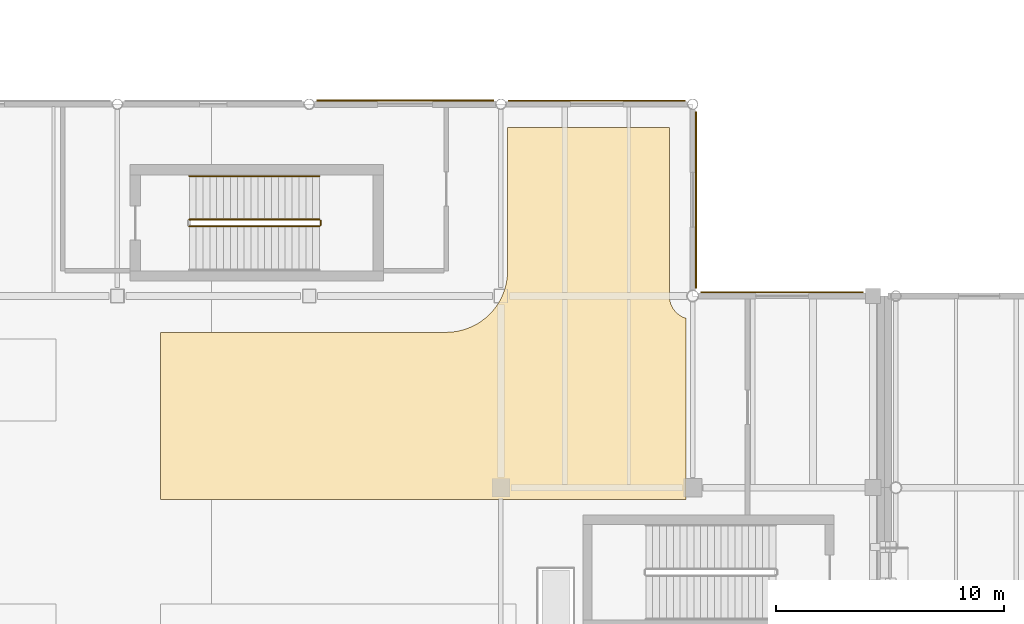
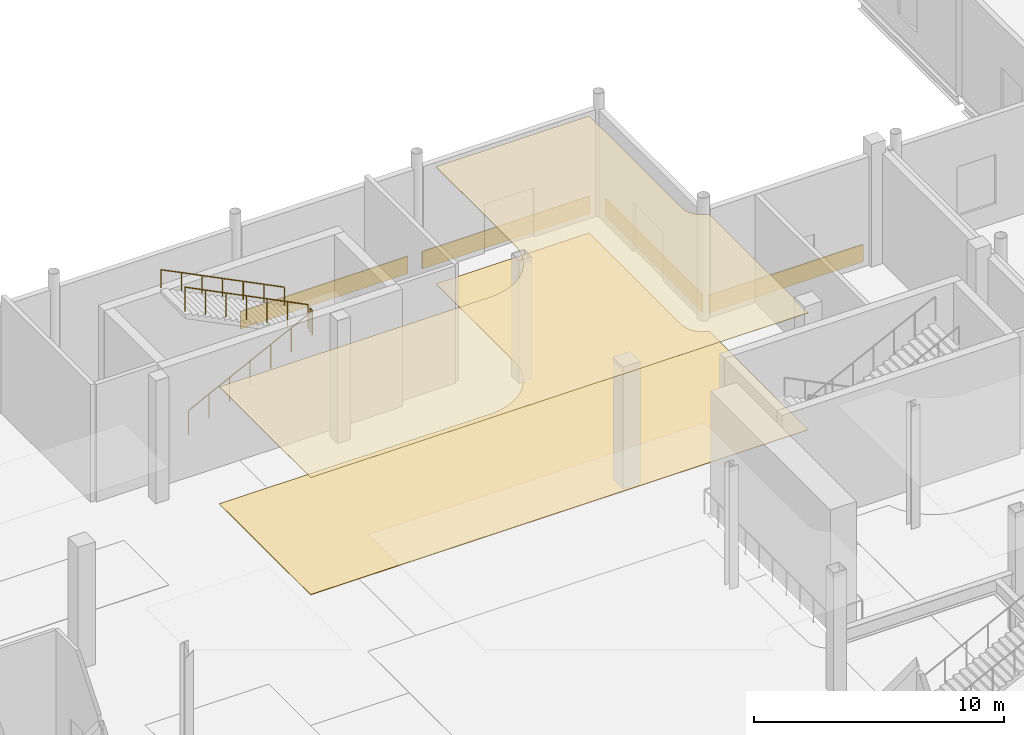
# One storey, part 76 of 85: 6 coverings, 4 railings.
"""IFC4 building model written with IfcOpenShell, lengths in metres."""

from ifc_helpers import new_model, si_unit, direction, frame, origin, origin_2d, place, context, subcontext, project, spatial, polyline, rectangle, circle, outline, extrude, material, layer, layer_set, type_object, element, save


model = new_model("IFC4")

# Units and contexts
model_context = context("Model", 3, precision=1e-05, world=origin(), true_north=direction((0.0, 1.0)))
body_context = subcontext(model_context, "Body", "Model", "MODEL_VIEW")
ifc_project = project(units=[si_unit("LENGTHUNIT", "METRE"), si_unit("AREAUNIT", "SQUARE_METRE"), si_unit("VOLUMEUNIT", "CUBIC_METRE"), si_unit("PLANEANGLEUNIT", "RADIAN"), si_unit("MASSUNIT", "GRAM", prefix="KILO"), si_unit("THERMODYNAMICTEMPERATUREUNIT", "KELVIN")], contexts=[model_context])

# Site, building, storey
site_placement = place(None, origin())
site = spatial("IfcSite", under=ifc_project, at=site_placement, CompositionType="ELEMENT")
building_placement = place(site_placement, origin())
building = spatial("IfcBuilding", under=site, at=building_placement, Name="Lustrewick Department Store", CompositionType="ELEMENT")
storey_placement = place(building_placement, origin())
storey = spatial("IfcBuildingStorey", under=building, at=storey_placement, Name="L01", CompositionType="ELEMENT", Elevation=0.0)

# Coverings
ifc_material_1 = material(Name="Rusticated Fangshan cream limestone", Category="masonry")
ifc_layer_1 = layer(ifc_material_1, 0.050048828125, Name="Rusticated Fangshan cream limestone")
ifc_layer_set_1 = layer_set([ifc_layer_1], Name="Rusticated Fangshan cream limestone")
covering_type_1 = type_object("IfcCoveringType", Name="CLD-LIME", PredefinedType="CLADDING", material=ifc_layer_set_1)
covering_1_placement = place(storey_placement, frame((54.314453125, 84.1650390625, 0.02490234375), z_axis=(0.0, 0.0, 1.0), x_axis=(-1.0, 0.0, 0.0)))
element("IfcCovering", 1, at=covering_1_placement, inside=storey, type_object=covering_type_1, Name="L01 Limestone Plinth Band 009", PredefinedType="CLADDING", context=body_context, shape_type="SweptSolid", body=[
    extrude(rectangle(XDim=7.131103515625, YDim=0.050048828125, at=origin_2d()), origin(), (0.0, 0.0, 1.0), 0.85009765625),
])
covering_2_placement = place(storey_placement, frame((50.544921875, 88.212646484375, 0.02490234375), z_axis=(0.0, 0.0, 1.0), x_axis=(0.0, 1.0, 0.0)))
element("IfcCovering", 2, at=covering_2_placement, inside=storey, type_object=covering_type_1, Name="L01 Limestone Plinth Band 010", PredefinedType="CLADDING", context=body_context, shape_type="SweptSolid", body=[
    extrude(rectangle(XDim=7.7275390625, YDim=0.050048828125, at=origin_2d()), origin(), (0.0, 0.0, 1.0), 0.85009765625),
])
for number, where, z_axis, x_axis, name in (
    (3, (46.199951171875, 92.554931640625, 0.02490234375), (0.0, 0.0, 1.0), (-1.0, 0.0, 0.0), "L01 Limestone Plinth Band 011"),
    (4, (37.800048828125, 92.56494140625, 0.02490234375), (0.0, 0.0, 1.0), (-1.0, 0.0, 0.0), "L01 Limestone Plinth Band 012"),
):
    element("IfcCovering", number, at=place(storey_placement, frame(where, z_axis=z_axis, x_axis=x_axis)), inside=storey, type_object=covering_type_1, Name=name, PredefinedType="CLADDING", context=body_context, shape_type="SweptSolid", body=[
        extrude(rectangle(XDim=7.7529296875, YDim=0.050048828125, at=origin_2d()), origin(), (0.0, 0.0, 1.0), 0.85009765625),
    ])
ifc_material_2 = material(Name="Perforated mineral-fibre acoustic ceiling board", Category="gypsum")
ifc_layer_2 = layer(ifc_material_2, 0.02490234375, Name="Perforated mineral-fibre acoustic ceiling board")
ifc_layer_set_2 = layer_set([ifc_layer_2], Name="Perforated mineral-fibre acoustic ceiling board")
covering_type_2 = type_object("IfcCoveringType", Name="COV-CEIL", PredefinedType="CEILING", material=ifc_layer_set_2)
covering_3_placement = place(storey_placement, frame((0.0, 0.0, 5.719970703125)))
element("IfcCovering", 5, at=covering_3_placement, inside=storey, type_object=covering_type_2, Name="L01 V1 Retail Merchandise Gallery 2 Acoustic Ceiling", PredefinedType="CEILING", context=body_context, shape_type="SweptSolid", body=[
    extrude(outline(polyline([(41.273193359375, 82.994384765625), (41.12890625, 82.887451171875), (41.07373046875, 82.849853515625), (41.0712890625, 82.848388671875), (41.057861328125, 82.840087890625), (40.905517578125, 82.748779296875), (40.881591796875, 82.735107421875), (40.87890625, 82.733642578125), (40.830078125, 82.70849609375), (40.668701171875, 82.632080078125), (40.65087890625, 82.6240234375), (40.648193359375, 82.622802734375), (40.590087890625, 82.599609375), (40.42138671875, 82.539306640625), (40.3798828125, 82.525390625), (40.376953125, 82.524658203125), (40.339599609375, 82.514404296875), (40.16650390625, 82.470947265625), (40.127197265625, 82.462158203125), (40.124267578125, 82.461669921875), (40.08251953125, 82.454345703125), (39.906005859375, 82.42822265625), (39.866455078125, 82.42333984375), (39.863525390625, 82.423095703125), (39.8212890625, 82.419921875), (39.642822265625, 82.410888671875), (39.6015625, 82.409912109375), (27.090087890625, 82.409912109375), (27.090087890625, 75.090087890625), (50.110107421875, 75.090087890625), (50.110107421875, 83.023193359375), (50.062255859375, 83.03759765625), (50.04541015625, 83.043701171875), (49.97509765625, 83.07275390625), (49.959228515625, 83.080322265625), (49.882080078125, 83.121337890625), (49.86669921875, 83.130615234375), (49.7978515625, 83.177001953125), (49.78369140625, 83.1875), (49.72314453125, 83.237060546875), (49.710205078125, 83.248779296875), (49.64892578125, 83.31005859375), (49.63720703125, 83.3232421875), (49.58740234375, 83.3837890625), (49.576904296875, 83.397705078125), (49.530517578125, 83.466796875), (49.521484375, 83.482177734375), (49.480224609375, 83.559326171875), (49.472900390625, 83.5751953125), (49.443603515625, 83.6455078125), (49.437744140625, 83.662109375), (49.412353515625, 83.74560546875), (49.408203125, 83.7626953125), (49.392333984375, 83.8427734375), (49.389892578125, 83.860107421875), (49.3818359375, 83.939453125), (49.381103515625, 83.9560546875), (49.3798828125, 83.9990234375), (49.3798828125, 91.3798828125), (42.2900390625, 91.3798828125), (42.2900390625, 85.098388671875), (42.2890625, 85.05712890625), (42.2802734375, 84.878662109375), (42.277099609375, 84.83642578125), (42.276611328125, 84.83349609375), (42.271728515625, 84.7939453125), (42.24560546875, 84.617431640625), (42.23828125, 84.57568359375), (42.23779296875, 84.572998046875), (42.22900390625, 84.533447265625), (42.185546875, 84.3603515625), (42.17529296875, 84.322998046875), (42.174560546875, 84.3203125), (42.160888671875, 84.278564453125), (42.1005859375, 84.10986328125), (42.0771484375, 84.0517578125), (42.075927734375, 84.049072265625), (42.06787109375, 84.03125), (41.991455078125, 83.869873046875), (41.96630859375, 83.821044921875), (41.96484375, 83.818359375), (41.951171875, 83.79443359375), (41.85986328125, 83.64208984375), (41.8515625, 83.628662109375), (41.85009765625, 83.626220703125), (41.8125, 83.5712890625), (41.705078125, 83.426513671875), (41.65283203125, 83.362548828125), (41.531494140625, 83.228759765625), (41.503173828125, 83.198974609375), (41.501220703125, 83.19677734375), (41.47119140625, 83.168212890625), (41.2802734375, 82.995361328125), (41.277587890625, 82.998046875), (41.273193359375, 82.994384765625)])), origin(), (0.0, 0.0, 1.0), 0.025146484375),
])
ifc_material_3 = material(Name="Polished terrazzo and porcelain floor finish", Category="masonry")
ifc_layer_3 = layer(ifc_material_3, 0.02001953125, Name="Polished terrazzo and porcelain floor finish")
ifc_layer_set_3 = layer_set([ifc_layer_3], Name="Polished terrazzo and porcelain floor finish")
covering_type_3 = type_object("IfcCoveringType", Name="COV-FLR", PredefinedType="FLOORING", material=ifc_layer_set_3)
covering_4_placement = place(storey_placement, origin())
element("IfcCovering", 6, at=covering_4_placement, inside=storey, type_object=covering_type_3, Name="L01 V1 Retail Merchandise Gallery 2 Terrazzo Flooring", PredefinedType="FLOORING", context=body_context, shape_type="SweptSolid", body=[
    extrude(outline(polyline([(41.273193359375, 82.994384765625), (41.12890625, 82.887451171875), (41.07373046875, 82.849853515625), (41.0712890625, 82.848388671875), (41.057861328125, 82.840087890625), (40.905517578125, 82.748779296875), (40.881591796875, 82.735107421875), (40.87890625, 82.733642578125), (40.830078125, 82.70849609375), (40.668701171875, 82.632080078125), (40.65087890625, 82.6240234375), (40.648193359375, 82.622802734375), (40.590087890625, 82.599609375), (40.42138671875, 82.539306640625), (40.3798828125, 82.525390625), (40.376953125, 82.524658203125), (40.339599609375, 82.514404296875), (40.16650390625, 82.470947265625), (40.127197265625, 82.462158203125), (40.124267578125, 82.461669921875), (40.08251953125, 82.454345703125), (39.906005859375, 82.42822265625), (39.866455078125, 82.42333984375), (39.863525390625, 82.423095703125), (39.8212890625, 82.419921875), (39.642822265625, 82.410888671875), (39.6015625, 82.409912109375), (27.090087890625, 82.409912109375), (27.090087890625, 75.090087890625), (50.110107421875, 75.090087890625), (50.110107421875, 83.023193359375), (50.062255859375, 83.03759765625), (50.04541015625, 83.043701171875), (49.97509765625, 83.07275390625), (49.959228515625, 83.080322265625), (49.882080078125, 83.121337890625), (49.86669921875, 83.130615234375), (49.7978515625, 83.177001953125), (49.78369140625, 83.1875), (49.72314453125, 83.237060546875), (49.710205078125, 83.248779296875), (49.64892578125, 83.31005859375), (49.63720703125, 83.3232421875), (49.58740234375, 83.3837890625), (49.576904296875, 83.397705078125), (49.530517578125, 83.466796875), (49.521484375, 83.482177734375), (49.480224609375, 83.559326171875), (49.472900390625, 83.5751953125), (49.443603515625, 83.6455078125), (49.437744140625, 83.662109375), (49.412353515625, 83.74560546875), (49.408203125, 83.7626953125), (49.392333984375, 83.8427734375), (49.389892578125, 83.860107421875), (49.3818359375, 83.939453125), (49.381103515625, 83.9560546875), (49.3798828125, 83.9990234375), (49.3798828125, 91.3798828125), (42.2900390625, 91.3798828125), (42.2900390625, 85.098388671875), (42.2890625, 85.05712890625), (42.2802734375, 84.878662109375), (42.277099609375, 84.83642578125), (42.276611328125, 84.83349609375), (42.271728515625, 84.7939453125), (42.24560546875, 84.617431640625), (42.23828125, 84.57568359375), (42.23779296875, 84.572998046875), (42.22900390625, 84.533447265625), (42.185546875, 84.3603515625), (42.17529296875, 84.322998046875), (42.174560546875, 84.3203125), (42.160888671875, 84.278564453125), (42.1005859375, 84.10986328125), (42.0771484375, 84.0517578125), (42.075927734375, 84.049072265625), (42.06787109375, 84.03125), (41.991455078125, 83.869873046875), (41.96630859375, 83.821044921875), (41.96484375, 83.818359375), (41.951171875, 83.79443359375), (41.85986328125, 83.64208984375), (41.8515625, 83.628662109375), (41.85009765625, 83.626220703125), (41.8125, 83.5712890625), (41.705078125, 83.426513671875), (41.65283203125, 83.362548828125), (41.531494140625, 83.228759765625), (41.503173828125, 83.198974609375), (41.501220703125, 83.19677734375), (41.47119140625, 83.168212890625), (41.2802734375, 82.995361328125), (41.277587890625, 82.998046875), (41.273193359375, 82.994384765625)])), origin(), (0.0, 0.0, 1.0), 0.02001953125),
])

# Railings
ifc_material_4 = material(Name="Painted tubular steel stairwell guardrail", Category="steel")
railing_type_1 = type_object("IfcRailingType", Name="RL-STG", PredefinedType="GUARDRAIL", material=ifc_material_4)
railing_1_placement = place(storey_placement, frame((28.35009765625, 87.050048828125, 0.14990234375)))
element("IfcRailing", 7, at=railing_1_placement, inside=storey, type_object=railing_type_1, Name="L01 ST03 Stair Guard 1", PredefinedType="GUARDRAIL", context=body_context, shape_type="SweptSolid", body=[
    extrude(circle(Radius=0.02392578125, at=origin_2d()), frame((0.0, 0.0, 1.17578125), z_axis=(0.894419528903, 0.0, 0.447228919365), x_axis=(0.0, 1.0, 0.0)), (0.0, 0.0, 1.0), 6.372802734375),
    extrude(circle(Radius=0.02099609375, at=origin_2d()), origin(), (0.0, 0.0, 1.0), 1.15185546875),
    extrude(circle(Radius=0.02099609375, at=origin_2d()), frame((0.949951171875, 0.0, 0.47509765625)), (0.0, 0.0, 1.0), 1.15185546875),
    extrude(circle(Radius=0.02099609375, at=origin_2d()), frame((1.89990234375, 0.0, 0.949951171875)), (0.0, 0.0, 1.0), 1.15185546875),
    extrude(circle(Radius=0.02099609375, at=origin_2d()), frame((2.85009765625, 0.0, 1.425048828125)), (0.0, 0.0, 1.0), 1.15185546875),
    extrude(circle(Radius=0.02099609375, at=origin_2d()), frame((3.800048828125, 0.0, 1.900146484375)), (0.0, 0.0, 1.0), 1.15185546875),
    extrude(circle(Radius=0.02099609375, at=origin_2d()), frame((4.75, 0.0, 2.375)), (0.0, 0.0, 1.0), 1.15185546875),
    extrude(circle(Radius=0.02099609375, at=origin_2d()), frame((5.699951171875, 0.0, 2.85009765625)), (0.0, 0.0, 1.0), 1.15185546875),
])
railing_2_placement = place(storey_placement, frame((34.10009765625, 87.10009765625, 3.0)))
element("IfcRailing", 8, at=railing_2_placement, inside=storey, type_object=railing_type_1, Name="L01 ST03 Stair Guard 2", PredefinedType="GUARDRAIL", context=body_context, shape_type="SweptSolid", body=[
    extrude(circle(Radius=0.02392578125, at=origin_2d()), frame((0.0, 0.0, 1.17578125), z_axis=(0.0, 1.0, 0.0), x_axis=(-1.0, 0.0, 0.0)), (0.0, 0.0, 1.0), 0.199951171875),
    extrude(circle(Radius=0.02099609375, at=origin_2d()), origin(), (0.0, 0.0, 1.0), 1.15185546875),
    extrude(circle(Radius=0.02099609375, at=origin_2d()), frame((0.0, 0.199951171875, 0.0)), (0.0, 0.0, 1.0), 1.15185546875),
])
railing_3_placement = place(storey_placement, frame((34.050048828125, 87.35009765625, 3.14990234375)))
element("IfcRailing", 9, at=railing_3_placement, inside=storey, type_object=railing_type_1, Name="L01 ST03 Stair Guard 3", PredefinedType="GUARDRAIL", context=body_context, shape_type="SweptSolid", body=[
    extrude(circle(Radius=0.02392578125, at=origin_2d()), frame((0.0, 0.0, 1.17578125), z_axis=(-0.894419528903, 0.0, 0.447228919365), x_axis=(0.0, -1.0, 0.0)), (0.0, 0.0, 1.0), 6.372802734375),
    extrude(circle(Radius=0.02099609375, at=origin_2d()), origin(), (0.0, 0.0, 1.0), 1.15185546875),
    extrude(circle(Radius=0.02099609375, at=origin_2d()), frame((-0.949951171875, 0.0, 0.47509765625)), (0.0, 0.0, 1.0), 1.15185546875),
    extrude(circle(Radius=0.02099609375, at=origin_2d()), frame((-1.89990234375, 0.0, 0.949951171875)), (0.0, 0.0, 1.0), 1.15185546875),
    extrude(circle(Radius=0.02099609375, at=origin_2d()), frame((-2.85009765625, 0.0, 1.425048828125)), (0.0, 0.0, 1.0), 1.15185546875),
    extrude(circle(Radius=0.02099609375, at=origin_2d()), frame((-3.800048828125, 0.0, 1.900146484375)), (0.0, 0.0, 1.0), 1.15185546875),
    extrude(circle(Radius=0.02099609375, at=origin_2d()), frame((-4.75, 0.0, 2.375)), (0.0, 0.0, 1.0), 1.15185546875),
    extrude(circle(Radius=0.02099609375, at=origin_2d()), frame((-5.699951171875, 0.0, 2.85009765625)), (0.0, 0.0, 1.0), 1.15185546875),
])
ifc_material_5 = material(Name="Brushed stainless steel wall handrail", Category="steel")
railing_type_2 = type_object("IfcRailingType", Name="RL-STH", PredefinedType="HANDRAIL", material=ifc_material_5)
railing_4_placement = place(storey_placement, frame((34.050048828125, 89.25, 3.14990234375)))
element("IfcRailing", 10, at=railing_4_placement, inside=storey, type_object=railing_type_2, Name="L01 ST03 Stair Handrail 2", PredefinedType="HANDRAIL", context=body_context, shape_type="SweptSolid", body=[
    extrude(circle(Radius=0.02392578125, at=origin_2d()), frame((0.0, 0.0, 0.8759765625), z_axis=(-0.894419528903, 0.0, 0.447228919365), x_axis=(0.0, -1.0, 0.0)), (0.0, 0.0, 1.0), 6.372802734375),
    extrude(circle(Radius=0.02099609375, at=origin_2d()), origin(), (0.0, 0.0, 1.0), 0.851806640625),
    extrude(circle(Radius=0.02099609375, at=origin_2d()), frame((-0.949951171875, 0.0, 0.47509765625)), (0.0, 0.0, 1.0), 0.851806640625),
    extrude(circle(Radius=0.02099609375, at=origin_2d()), frame((-1.89990234375, 0.0, 0.949951171875)), (0.0, 0.0, 1.0), 0.851806640625),
    extrude(circle(Radius=0.02099609375, at=origin_2d()), frame((-2.85009765625, 0.0, 1.425048828125)), (0.0, 0.0, 1.0), 0.851806640625),
    extrude(circle(Radius=0.02099609375, at=origin_2d()), frame((-3.800048828125, 0.0, 1.900146484375)), (0.0, 0.0, 1.0), 0.851806640625),
    extrude(circle(Radius=0.02099609375, at=origin_2d()), frame((-4.75, 0.0, 2.375)), (0.0, 0.0, 1.0), 0.851806640625),
    extrude(circle(Radius=0.02099609375, at=origin_2d()), frame((-5.699951171875, 0.0, 2.85009765625)), (0.0, 0.0, 1.0), 0.851806640625),
])

save(model, "model.ifc")
